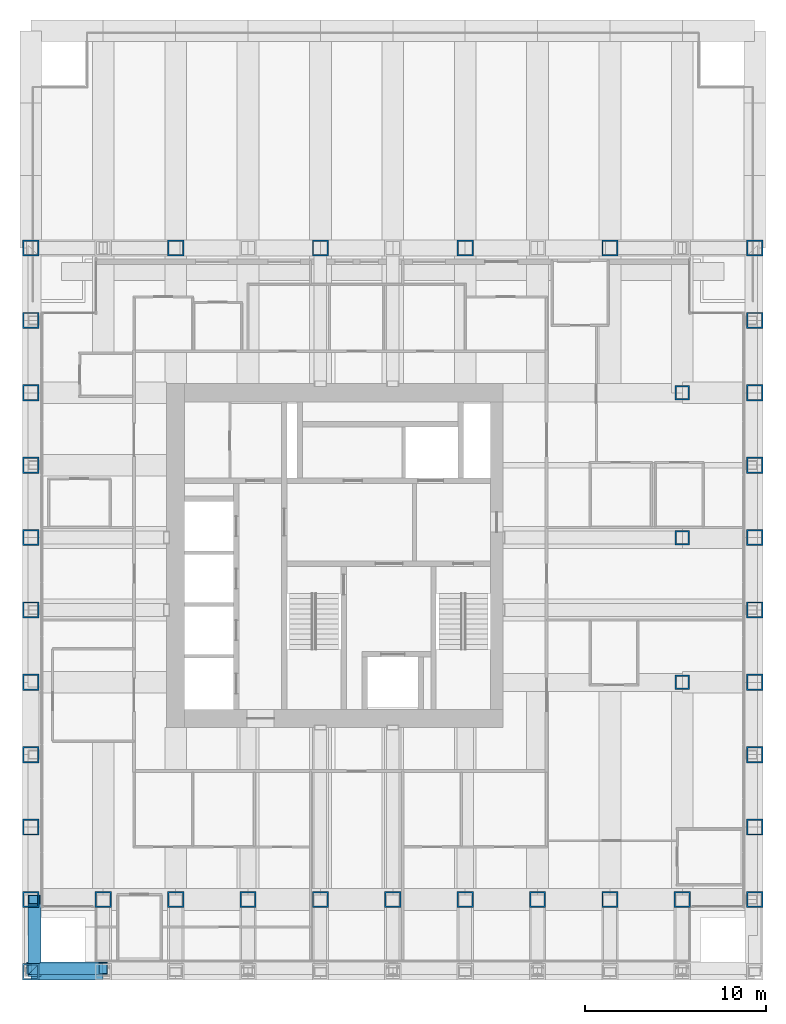
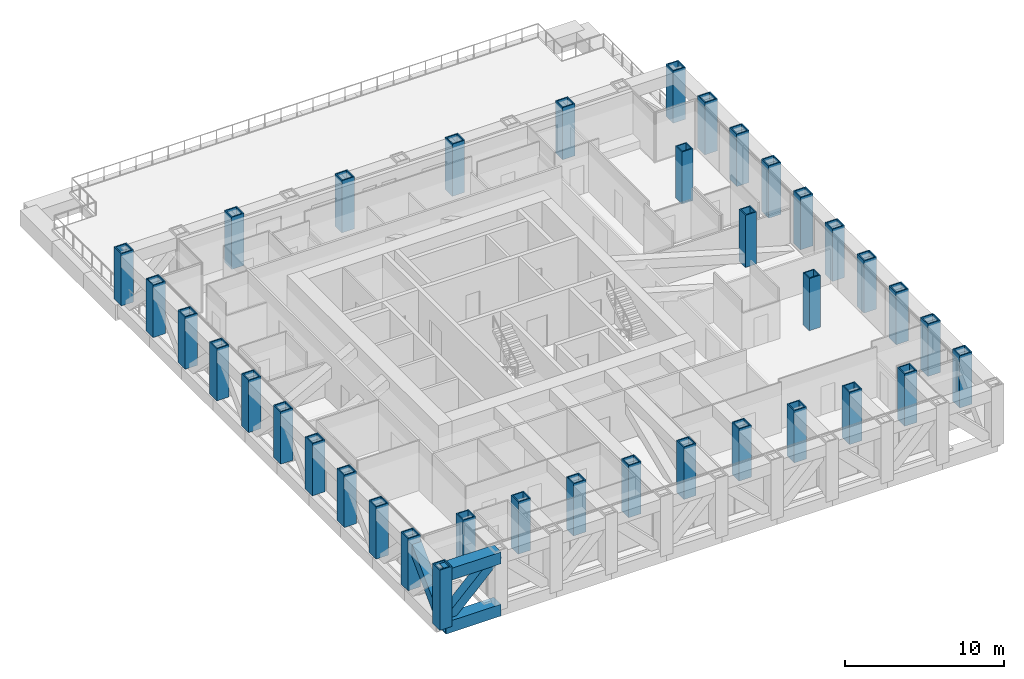
# One storey, part 1 of 17: 36 columns, 3 members, 2 beams.
"""IFC4 building model written with IfcOpenShell, lengths in metres."""

from ifc_helpers import new_model, si_unit, direction, frame, origin, origin_2d, place, context, subcontext, project, spatial, hollow_rectangle, extrude, material, material_profile, profile_set, type_object, element, save


model = new_model("IFC4")

# Units and contexts
model_context = context("Model", 3, precision=1e-05, world=origin(), true_north=direction((0.0, 1.0)))
body_context = subcontext(model_context, "Body", "Model", "MODEL_VIEW")
ifc_project = project(units=[si_unit("LENGTHUNIT", "METRE"), si_unit("AREAUNIT", "SQUARE_METRE"), si_unit("VOLUMEUNIT", "CUBIC_METRE"), si_unit("PLANEANGLEUNIT", "RADIAN"), si_unit("MASSUNIT", "GRAM", prefix="KILO")], contexts=[model_context])

# Site, building, storey
site_placement = place(None, origin())
site = spatial("IfcSite", under=ifc_project, at=site_placement, CompositionType="ELEMENT")
building_placement = place(site_placement, origin())
building = spatial("IfcBuilding", under=site, at=building_placement, Name="Rimbunsela Tower", CompositionType="ELEMENT")
storey_placement = place(building_placement, frame((0.0, 0.0, 238.199951171875)))
storey = spatial("IfcBuildingStorey", under=building, at=storey_placement, Name="L57", CompositionType="ELEMENT", Elevation=238.199951171875)

# Columns
ifc_material_1 = material(Name="Steel BJ 55 (fy 410 MPa)", Category="steel")
ifc_material_profile_1 = material_profile(ifc_material_1, hollow_rectangle(XDim=0.800048828125, YDim=0.800048828125, WallThickness=0.080078125, at=origin_2d()), Name="BOX 800x800x80")
ifc_profile_set_1 = profile_set([ifc_material_profile_1], Name="Steel BJ 55 (fy 410 MPa)")
column_type_1 = type_object("IfcColumnType", Name="Column BOX 800x800x80", PredefinedType="COLUMN", material=ifc_profile_set_1)
for number, where, z_axis, x_axis, name in (
    (1, (46.0, 20.0, 0.0), (0.0, 0.0, 1.0), (1.0, 0.0, 0.0), "Column C2 14/G L57"),
    (2, (46.0, 28.0, 0.0), (0.0, 0.0, 1.0), (1.0, 0.0, 0.0), "Column C2 14/J L57"),
    (3, (46.0, 36.0, 0.0), (0.0, 0.0, 1.0), (1.0, 0.0, 0.0), "Column C2 14/L L57"),
):
    element("IfcColumn", number, at=place(storey_placement, frame(where, z_axis=z_axis, x_axis=x_axis)), inside=storey, type_object=column_type_1, Name=name, PredefinedType="COLUMN", context=body_context, shape_type="SweptSolid", body=[
        extrude(hollow_rectangle(XDim=0.800048828125, YDim=0.800048828125, WallThickness=0.080078125, at=origin_2d()), origin(), (0.0, 0.0, 1.0), 4.0),
    ])
ifc_material_2 = material(Name="Steel BJ 55 (fy 410 MPa)", Category="steel")
ifc_material_profile_2 = material_profile(ifc_material_2, hollow_rectangle(XDim=0.89990234375, YDim=0.89990234375, WallThickness=0.080078125, at=origin_2d()), Name="BOX 900x900x80")
ifc_profile_set_2 = profile_set([ifc_material_profile_2], Name="Steel BJ 55 (fy 410 MPa)")
column_type_2 = type_object("IfcColumnType", Name="Truss column BOX 900x900x80", PredefinedType="USERDEFINED", material=ifc_profile_set_2)
for number, where, z_axis, x_axis, name in (
    (4, (10.0, 8.0, 0.0), (0.0, 0.0, 1.0), (1.0, 0.0, 0.0), "Truss column TV3 5/D L57"),
    (5, (10.0, 12.0, 0.0), (0.0, 0.0, 1.0), (1.0, 0.0, 0.0), "Truss column TV3 5/E L57"),
    (6, (10.0, 16.0, 0.0), (0.0, 0.0, 1.0), (1.0, 0.0, 0.0), "Truss column TV3 5/F L57"),
    (7, (10.0, 20.0, 0.0), (0.0, 0.0, 1.0), (1.0, 0.0, 0.0), "Truss column TV3 5/G L57"),
    (8, (10.0, 24.0, 0.0), (0.0, 0.0, 1.0), (1.0, 0.0, 0.0), "Truss column TV3 5/H L57"),
    (9, (10.0, 28.0, 0.0), (0.0, 0.0, 1.0), (1.0, 0.0, 0.0), "Truss column TV3 5/J L57"),
    (10, (10.0, 32.0, 0.0), (0.0, 0.0, 1.0), (1.0, 0.0, 0.0), "Truss column TV3 5/K L57"),
    (11, (10.0, 36.0, 0.0), (0.0, 0.0, 1.0), (1.0, 0.0, 0.0), "Truss column TV3 5/L L57"),
    (12, (10.0, 40.0, 0.0), (0.0, 0.0, 1.0), (1.0, 0.0, 0.0), "Truss column TV3 5/M L57"),
    (13, (10.0, 44.0, 0.0), (0.0, 0.0, 1.0), (1.0, 0.0, 0.0), "Truss column TV3 5/N L57"),
    (14, (18.0, 44.0, 0.0), (0.0, 0.0, 1.0), (1.0, 0.0, 0.0), "Truss column TV3 7/N L57"),
    (15, (26.0, 44.0, 0.0), (0.0, 0.0, 1.0), (1.0, 0.0, 0.0), "Truss column TV3 9/N L57"),
    (16, (34.0, 44.0, 0.0), (0.0, 0.0, 1.0), (1.0, 0.0, 0.0), "Truss column TV3 11/N L57"),
    (17, (42.0, 44.0, 0.0), (0.0, 0.0, 1.0), (1.0, 0.0, 0.0), "Truss column TV3 13/N L57"),
    (18, (50.0, 8.0, 0.0), (0.0, 0.0, 1.0), (1.0, 0.0, 0.0), "Truss column TV3 15/D L57"),
    (19, (50.0, 12.0, 0.0), (0.0, 0.0, 1.0), (1.0, 0.0, 0.0), "Truss column TV3 15/E L57"),
    (20, (50.0, 16.0, 0.0), (0.0, 0.0, 1.0), (1.0, 0.0, 0.0), "Truss column TV3 15/F L57"),
    (21, (50.0, 20.0, 0.0), (0.0, 0.0, 1.0), (1.0, 0.0, 0.0), "Truss column TV3 15/G L57"),
    (22, (50.0, 24.0, 0.0), (0.0, 0.0, 1.0), (1.0, 0.0, 0.0), "Truss column TV3 15/H L57"),
    (23, (50.0, 28.0, 0.0), (0.0, 0.0, 1.0), (1.0, 0.0, 0.0), "Truss column TV3 15/J L57"),
    (24, (50.0, 32.0, 0.0), (0.0, 0.0, 1.0), (1.0, 0.0, 0.0), "Truss column TV3 15/K L57"),
    (25, (50.0, 36.0, 0.0), (0.0, 0.0, 1.0), (1.0, 0.0, 0.0), "Truss column TV3 15/L L57"),
    (26, (50.0, 40.0, 0.0), (0.0, 0.0, 1.0), (1.0, 0.0, 0.0), "Truss column TV3 15/M L57"),
    (27, (50.0, 44.0, 0.0), (0.0, 0.0, 1.0), (1.0, 0.0, 0.0), "Truss column TV3 15/N L57"),
    (28, (14.0, 8.0, 0.0), (0.0, 0.0, 1.0), (1.0, 0.0, 0.0), "Truss column TV3 6/D L57"),
    (29, (18.0, 8.0, 0.0), (0.0, 0.0, 1.0), (1.0, 0.0, 0.0), "Truss column TV3 7/D L57"),
    (30, (22.0, 8.0, 0.0), (0.0, 0.0, 1.0), (1.0, 0.0, 0.0), "Truss column TV3 8/D L57"),
    (31, (26.0, 8.0, 0.0), (0.0, 0.0, 1.0), (1.0, 0.0, 0.0), "Truss column TV3 9/D L57"),
    (32, (30.0, 8.0, 0.0), (0.0, 0.0, 1.0), (1.0, 0.0, 0.0), "Truss column TV3 10/D L57"),
    (33, (34.0, 8.0, 0.0), (0.0, 0.0, 1.0), (1.0, 0.0, 0.0), "Truss column TV3 11/D L57"),
    (34, (38.0, 8.0, 0.0), (0.0, 0.0, 1.0), (1.0, 0.0, 0.0), "Truss column TV3 12/D L57"),
    (35, (42.0, 8.0, 0.0), (0.0, 0.0, 1.0), (1.0, 0.0, 0.0), "Truss column TV3 13/D L57"),
    (36, (46.0, 8.0, 0.0), (0.0, 0.0, 1.0), (1.0, 0.0, 0.0), "Truss column TV3 14/D L57"),
):
    element("IfcColumn", number, at=place(storey_placement, frame(where, z_axis=z_axis, x_axis=x_axis)), inside=storey, type_object=column_type_2, Name=name, ObjectType="TRUSS POST", PredefinedType="USERDEFINED", context=body_context, shape_type="SweptSolid", body=[
        extrude(hollow_rectangle(XDim=0.89990234375, YDim=0.89990234375, WallThickness=0.080078125, at=origin_2d()), origin(), (0.0, 0.0, 1.0), 4.0),
    ])

# Beams
ifc_material_3 = material(Name="Steel BJ 55 (fy 410 MPa)", Category="steel")
ifc_material_profile_3 = material_profile(ifc_material_3, hollow_rectangle(XDim=0.89990234375, YDim=0.89990234375, WallThickness=0.06005859375, at=origin_2d()), Name="BOX 900x900x60")
ifc_profile_set_3 = profile_set([ifc_material_profile_3], Name="Steel BJ 55 (fy 410 MPa)")
beam_type = type_object("IfcBeamType", Name="Truss chord BOX 900x900x60", PredefinedType="USERDEFINED", material=ifc_profile_set_3)
for number, where, z_axis, x_axis, name in (
    (37, (10.0, 4.0, 3.400146484375), (1.0, 0.0, 0.0), (0.0, 1.0, 0.0), "Truss top chord TC4 S face L57"),
    (38, (10.0, 4.0, -0.599853515625), (1.0, 0.0, 0.0), (0.0, 1.0, 0.0), "Truss bottom chord TC4 S face L57"),
):
    element("IfcBeam", number, at=place(storey_placement, frame(where, z_axis=z_axis, x_axis=x_axis)), inside=storey, type_object=beam_type, Name=name, ObjectType="TRUSS CHORD", PredefinedType="USERDEFINED", context=body_context, shape_type="SweptSolid", body=[
        extrude(hollow_rectangle(XDim=0.89990234375, YDim=0.89990234375, WallThickness=0.06005859375, at=origin_2d()), origin(), (0.0, 0.0, 1.0), 4.0),
    ])

# Members
ifc_material_4 = material(Name="Steel BJ 55 (fy 410 MPa)", Category="steel")
ifc_material_profile_4 = material_profile(ifc_material_4, hollow_rectangle(XDim=0.699951171875, YDim=0.699951171875, WallThickness=0.050048828125, at=origin_2d()), Name="BOX 700x700x50")
ifc_profile_set_4 = profile_set([ifc_material_profile_4], Name="Steel BJ 55 (fy 410 MPa)")
member_type_1 = type_object("IfcMemberType", Name="Truss diagonal BOX 700x700x50", PredefinedType="BRACE", material=ifc_profile_set_4)
for number, where, z_axis, x_axis, name in (
    (39, (10.0, 4.199951171875, -0.599853515625), (0.707106781187, 0.0, 0.707106781187), (0.0, 1.0, 0.0), "Truss diagonal TD4 S face L57"),
    (40, (10.199951171875, 4.0, -0.599853515625), (0.0, 0.707106781187, 0.707106781187), (-1.0, 0.0, 0.0), "Truss diagonal TD4 W face L57"),
):
    element("IfcMember", number, at=place(storey_placement, frame(where, z_axis=z_axis, x_axis=x_axis)), inside=storey, type_object=member_type_1, Name=name, PredefinedType="BRACE", context=body_context, shape_type="SweptSolid", body=[
        extrude(hollow_rectangle(XDim=0.699951171875, YDim=0.699951171875, WallThickness=0.050048828125, at=origin_2d()), origin(), (0.0, 0.0, 1.0), 5.65673828125),
    ])
ifc_material_5 = material(Name="Steel BJ 55 (fy 410 MPa)", Category="steel")
ifc_material_profile_5 = material_profile(ifc_material_5, hollow_rectangle(XDim=0.89990234375, YDim=0.89990234375, WallThickness=0.080078125, at=origin_2d()), Name="BOX 900x900x80")
ifc_profile_set_5 = profile_set([ifc_material_profile_5], Name="Steel BJ 55 (fy 410 MPa)")
member_type_2 = type_object("IfcMemberType", Name="Truss post BOX 900x900x80", PredefinedType="POST", material=ifc_profile_set_5)
member_placement = place(storey_placement, frame((10.0, 4.0, -0.599853515625), z_axis=(0.0, 0.0, 1.0), x_axis=(1.0, 0.0, 0.0)))
element("IfcMember", 41, at=member_placement, inside=storey, type_object=member_type_2, Name="Truss post TP3 5/C L57", PredefinedType="POST", context=body_context, shape_type="SweptSolid", body=[
    extrude(hollow_rectangle(XDim=0.89990234375, YDim=0.89990234375, WallThickness=0.080078125, at=origin_2d()), origin(), (0.0, 0.0, 1.0), 4.599853515625),
])

save(model, "model.ifc")
